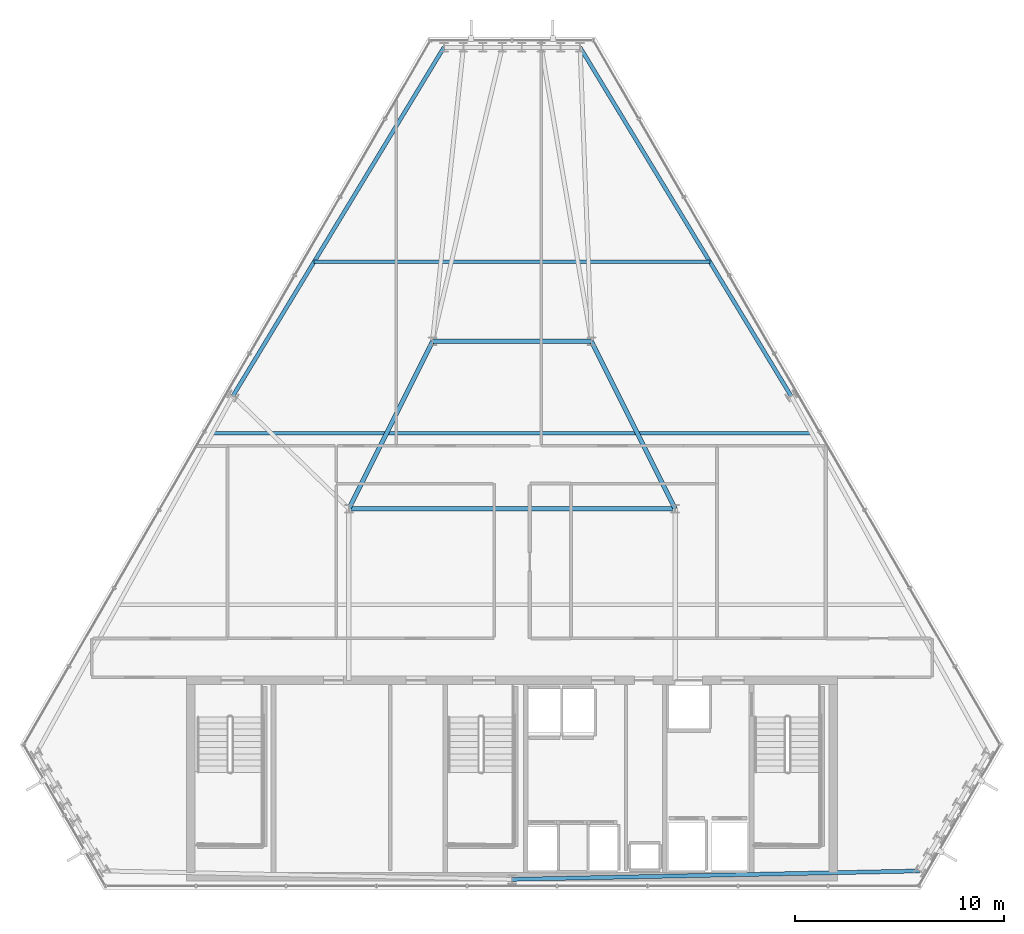
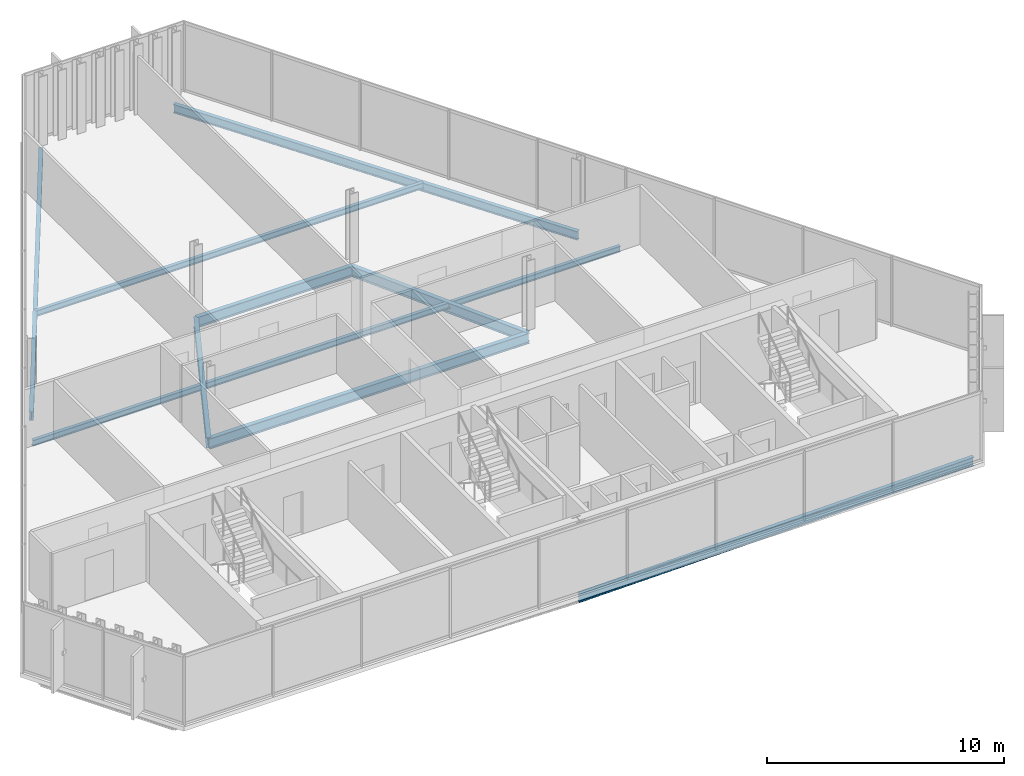
# One storey, part 13 of 30: 9 beams.
"""IFC4 building model written with IfcOpenShell, lengths in metres."""

import ifcopenshell
import ifcopenshell.guid

model = None  # the IFC model being written
_history = None  # IfcOwnerHistory: only IFC2X3 demands one
_inside = {}  # id of a spatial element -> (the spatial element, [elements in it])
_under = {}  # id of a project, library or spatial element -> (it, [spatial elements below it])
_declared = {}  # id of a project -> (the project, [libraries it declares])
_typed = {}  # id of a type object -> (the type object, [elements of that type])
_made_of = {}  # id of a material, layer set ... -> (it, [elements and type objects made of it])


def new_model(schema):
    """Start an empty IFC model of exactly this schema.

    Asked for "IFC4X3", IfcOpenShell would pick the latest addendum, in which some entities
    have other attributes; the version numbers below select the first issue.
    IFC2X3 requires an IfcOwnerHistory on every rooted entity: one is made here for all.
    """
    global model, _history
    if schema == "IFC4X3":
        model = ifcopenshell.file(schema_version=(4, 3, 0, 0))
    else:
        model = ifcopenshell.file(schema=schema)
    _inside.clear()
    _under.clear()
    _declared.clear()
    _typed.clear()
    _made_of.clear()
    _history = None
    if model.schema == "IFC2X3":
        org = make("IfcOrganization", Name="unknown")
        user = make(
            "IfcPersonAndOrganization",
            ThePerson=make("IfcPerson", FamilyName="unknown"),
            TheOrganization=org,
        )
        app = make(
            "IfcApplication",
            ApplicationDeveloper=org,
            Version="unknown",
            ApplicationFullName="unknown",
            ApplicationIdentifier="unknown",
        )
        _history = make(
            "IfcOwnerHistory",
            OwningUser=user,
            OwningApplication=app,
            ChangeAction="ADDED",
            CreationDate=0,
        )
    return model


def make(cls, **values):
    """One entity of the class cls with the attributes given. An attribute that is None is left unset."""
    return model.create_entity(
        cls, **{name: value for name, value in values.items() if value is not None}
    )


def rooted(cls, **values):
    """An entity with a GlobalId (a new one), such as an element, a storey or a relation."""
    return make(cls, GlobalId=ifcopenshell.guid.new(), OwnerHistory=_history, **values)


def si_unit(unit_type, name, prefix=None):
    """IfcSIUnit, for example si_unit("LENGTHUNIT", "METRE", prefix="MILLI")."""
    return make("IfcSIUnit", UnitType=unit_type, Prefix=prefix, Name=name)


def assignment(units):
    """IfcUnitAssignment: the units of a project."""
    return None if units is None else make("IfcUnitAssignment", Units=units)


def point(xyz):
    """IfcCartesianPoint."""
    return None if xyz is None else make("IfcCartesianPoint", Coordinates=xyz)


def direction(xyz):
    """IfcDirection."""
    return None if xyz is None else make("IfcDirection", DirectionRatios=xyz)


def frame(location, z_axis=None, x_axis=None):
    """IfcAxis2Placement3D, a coordinate frame: its origin and axes. An axis left out is left unset."""
    return make(
        "IfcAxis2Placement3D",
        Location=point(location),
        Axis=direction(z_axis),
        RefDirection=direction(x_axis),
    )


def frame_2d(location, x_axis=None):
    """IfcAxis2Placement2D, a coordinate frame in the plane: its origin and x axis."""
    return make(
        "IfcAxis2Placement2D", Location=point(location), RefDirection=direction(x_axis)
    )


def origin():
    """The frame at (0, 0, 0) with its axes left unset."""
    return frame((0.0, 0.0, 0.0))


def origin_2d():
    """The frame at (0, 0) in the plane with its x axis left unset."""
    return frame_2d((0.0, 0.0))


def place(relative_to, where):
    """IfcLocalPlacement: puts the frame where relative to a parent placement (None: the world)."""
    return make(
        "IfcLocalPlacement", PlacementRelTo=relative_to, RelativePlacement=where
    )


def context(
    kind, dimensions, precision=None, world=None, true_north=None, identifier=None
):
    """IfcGeometricRepresentationContext, for example the 3D "Model" context."""
    return make(
        "IfcGeometricRepresentationContext",
        ContextIdentifier=identifier,
        ContextType=kind,
        CoordinateSpaceDimension=dimensions,
        Precision=precision,
        WorldCoordinateSystem=world,
        TrueNorth=true_north,
    )


def subcontext(parent, identifier, kind, view, scale=None):
    """IfcGeometricRepresentationSubContext, for example "Body" below "Model"."""
    return make(
        "IfcGeometricRepresentationSubContext",
        ContextIdentifier=identifier,
        ContextType=kind,
        ParentContext=parent,
        TargetScale=scale,
        TargetView=view,
    )


def project(units=None, contexts=None):
    """IfcProject with its units and contexts."""
    return rooted(
        "IfcProject",
        Name="project",
        RepresentationContexts=contexts,
        UnitsInContext=assignment(units),
    )


def spatial(cls, under=None, at=None, **own):
    """A site, building, storey or space (cls), placed at a placement, below another one or the project."""
    s = rooted(cls, ObjectPlacement=at, **own)
    if under is not None:
        _under.setdefault(under.id(), (under, []))[1].append(s)
    return s


def profile(cls, at=None, kind="AREA", **sizes):
    """A parametric profile (cls). Its sizes go by their IFC names, for example OverallWidth=200.0."""
    return make(cls, ProfileType=kind, Position=at, **sizes)


def i_section(**sizes):
    """IfcIShapeProfileDef."""
    return profile("IfcIShapeProfileDef", **sizes)


def extrude(swept, where, along, depth):
    """IfcExtrudedAreaSolid: the profile swept, set in the frame where, extruded along a direction by depth."""
    return make(
        "IfcExtrudedAreaSolid",
        SweptArea=swept,
        Position=where,
        ExtrudedDirection=direction(along),
        Depth=depth,
    )


def shape(context_of_items, identifier, shape_type, items):
    """IfcShapeRepresentation: the items that make up one representation, for example the "Body"."""
    return make(
        "IfcShapeRepresentation",
        ContextOfItems=context_of_items,
        RepresentationIdentifier=identifier,
        RepresentationType=shape_type,
        Items=items,
    )


def material(Name=None, Category=None):
    """IfcMaterial."""
    return make("IfcMaterial", Name=Name, Category=Category)


def material_profile(
    of_material, cross_section, Name=None, Category=None, Priority=None
):
    """IfcMaterialProfile: a cross section and its material."""
    return make(
        "IfcMaterialProfile",
        Name=Name,
        Material=of_material,
        Profile=cross_section,
        Priority=Priority,
        Category=Category,
    )


def profile_set(profiles, Name=None, composite=None):
    """IfcMaterialProfileSet."""
    return make(
        "IfcMaterialProfileSet",
        Name=Name,
        MaterialProfiles=profiles,
        CompositeProfile=composite,
    )


def made_of(thing, what):
    """Note that an element or type object is made of a material, layer set ...; save() writes the relation."""
    if what is not None:
        _made_of.setdefault(what.id(), (what, []))[1].append(thing)
    return thing


def type_object(cls, material=None, **own):
    """A type object (cls), such as IfcWallType, which elements share."""
    return made_of(rooted(cls, **own), material)


def element(
    cls,
    number,
    at=None,
    inside=None,
    cuts=None,
    type_object=None,
    material=None,
    context=None,
    identifier="Body",
    shape_type=None,
    held_by="IfcProductDefinitionShape",
    body=None,
    shapes=None,
    **own,
):
    """One element of the class cls, such as IfcWall. Its Tag is "e" and its number.

    at: its placement. inside: the storey or other place that contains it. cuts: it is an
    opening in that element (IfcRelVoidsElement). A single representation is given by context,
    identifier, shape_type and body (its items); several are given by shapes. held_by: the class
    of the entity that holds the representations. save() writes the other relations.
    """
    e = rooted(cls, Tag="e%d" % number, ObjectPlacement=at, **own)
    if body is not None:
        shapes = [shape(context, identifier, shape_type, body)]
    if shapes is not None:
        e.Representation = make(held_by, Representations=shapes)
    if inside is not None:
        _inside.setdefault(inside.id(), (inside, []))[1].append(e)
    if cuts is not None:
        rooted(
            "IfcRelVoidsElement", RelatingBuildingElement=cuts, RelatedOpeningElement=e
        )
    if type_object is not None:
        _typed.setdefault(type_object.id(), (type_object, []))[1].append(e)
    return made_of(e, material)


def aggregate(whole, parts):
    """IfcRelAggregates: a whole, such as a stair, and the parts it consists of."""
    return rooted("IfcRelAggregates", RelatingObject=whole, RelatedObjects=parts)


def save(model, path):
    """Write the relations noted so far, then the file.

    IfcRelAggregates (storeys below a building ...), IfcRelContainedInSpatialStructure (elements
    in a storey), IfcRelDefinesByType, IfcRelAssociatesMaterial and IfcRelDeclares: one each for
    every whole, place, type object, material and project.
    """
    for whole, parts in _under.values():
        aggregate(whole, parts)
    for where, things in _inside.values():
        rooted(
            "IfcRelContainedInSpatialStructure",
            RelatedElements=things,
            RelatingStructure=where,
        )
    for kind, things in _typed.values():
        rooted("IfcRelDefinesByType", RelatedObjects=things, RelatingType=kind)
    for what, things in _made_of.values():
        rooted("IfcRelAssociatesMaterial", RelatedObjects=things, RelatingMaterial=what)
    for by, libraries in _declared.values():
        rooted("IfcRelDeclares", RelatingContext=by, RelatedDefinitions=libraries)
    model.write(path)


model = new_model("IFC4")

# Units and contexts
model_context = context("Model", 3, precision=1e-05, world=origin(), true_north=direction((0.0, 1.0)))
body_context = subcontext(model_context, "Body", "Model", "MODEL_VIEW")
ifc_project = project(units=[si_unit("LENGTHUNIT", "METRE"), si_unit("AREAUNIT", "SQUARE_METRE"), si_unit("VOLUMEUNIT", "CUBIC_METRE"), si_unit("PLANEANGLEUNIT", "RADIAN"), si_unit("MASSUNIT", "GRAM", prefix="KILO")], contexts=[model_context])

# Site, building, storey
site_placement = place(None, origin())
site = spatial("IfcSite", under=ifc_project, at=site_placement, CompositionType="ELEMENT")
building_placement = place(site_placement, origin())
building = spatial("IfcBuilding", under=site, at=building_placement, Name="Ndaravel Arena Tower", CompositionType="ELEMENT")
storey_placement = place(building_placement, frame((0.0, 0.0, 221.800048828125)))
storey = spatial("IfcBuildingStorey", under=building, at=storey_placement, Name="L53", CompositionType="ELEMENT", Elevation=221.800048828125)

# Beams
ifc_material_1 = material(Name="Steel S355", Category="steel")
ifc_material_profile_1 = material_profile(ifc_material_1, i_section(OverallWidth=0.210693359375, OverallDepth=0.53955078125, WebThickness=0.01171875, FlangeThickness=0.018798828125, FilletRadius=0.0126953125, at=origin_2d()), Name="UB 533x210x109")
ifc_profile_set_1 = profile_set([ifc_material_profile_1], Name="Steel S355")
beam_type_1 = type_object("IfcBeamType", Name="BM-GIRD-UB533", PredefinedType="BEAM", material=ifc_profile_set_1)
beam_1_placement = place(storey_placement, frame((34.199951171875, 23.199951171875, -0.48974609375), z_axis=(1.0, 0.0, 0.0), x_axis=(0.0, 1.0, 0.0)))
element("IfcBeam", 1, at=beam_1_placement, inside=storey, type_object=beam_type_1, Name="L53 Spine Link Girder SLG-03", PredefinedType="BEAM", context=body_context, shape_type="SweptSolid", body=[
    extrude(i_section(OverallWidth=0.210693359375, OverallDepth=0.53955078125, WebThickness=0.01171875, FlangeThickness=0.018798828125, FilletRadius=0.0126953125, at=origin_2d()), origin(), (0.0, 0.0, 1.0), 15.60009765625),
])
for number, where, z_axis, x_axis, name in (
    (2, (34.199951171875, 23.199951171875, -0.48974609375), (0.4472135955, 0.894427191, 0.0), (-0.894427191, 0.4472135955, 0.0), "L53 Spine Link Girder SLG-04"),
    (3, (49.800048828125, 23.199951171875, -0.48974609375), (-0.4472135955, 0.894427191, 0.0), (-0.894427191, -0.4472135955, 0.0), "L53 Spine Link Girder SLG-05"),
):
    element("IfcBeam", number, at=place(storey_placement, frame(where, z_axis=z_axis, x_axis=x_axis)), inside=storey, type_object=beam_type_1, Name=name, PredefinedType="BEAM", context=body_context, shape_type="SweptSolid", body=[
        extrude(i_section(OverallWidth=0.210693359375, OverallDepth=0.53955078125, WebThickness=0.01171875, FlangeThickness=0.018798828125, FilletRadius=0.0126953125, at=origin_2d()), origin(), (0.0, 0.0, 1.0), 8.9443359375),
    ])
beam_2_placement = place(storey_placement, frame((38.199951171875, 31.199951171875, -0.48974609375), z_axis=(1.0, 0.0, 0.0), x_axis=(0.0, 1.0, 0.0)))
element("IfcBeam", 4, at=beam_2_placement, inside=storey, type_object=beam_type_1, Name="L53 Spine Link Girder SLG-06", PredefinedType="BEAM", context=body_context, shape_type="SweptSolid", body=[
    extrude(i_section(OverallWidth=0.210693359375, OverallDepth=0.53955078125, WebThickness=0.01171875, FlangeThickness=0.018798828125, FilletRadius=0.0126953125, at=origin_2d()), origin(), (0.0, 0.0, 1.0), 7.60009765625),
])
ifc_material_2 = material(Name="Steel S355", Category="steel")
ifc_material_profile_2 = material_profile(ifc_material_2, i_section(OverallWidth=0.165771484375, OverallDepth=0.306640625, WebThickness=0.006591796875, FlangeThickness=0.01171875, FilletRadius=0.0087890625, at=origin_2d()), Name="UB 305x165x46")
ifc_profile_set_2 = profile_set([ifc_material_profile_2], Name="Steel S355")
beam_type_2 = type_object("IfcBeamType", Name="BM-JOIST-UB305", PredefinedType="JOIST", material=ifc_profile_set_2)
beam_3_placement = place(storey_placement, frame((27.675048828125, 26.800048828125, -0.373291015625), z_axis=(1.0, 0.0, 0.0), x_axis=(0.0, 1.0, 0.0)))
element("IfcBeam", 5, at=beam_3_placement, inside=storey, type_object=beam_type_2, Name="L53 Composite Floor Joist FJ-02", PredefinedType="JOIST", context=body_context, shape_type="SweptSolid", body=[
    extrude(i_section(OverallWidth=0.165771484375, OverallDepth=0.306640625, WebThickness=0.006591796875, FlangeThickness=0.01171875, FilletRadius=0.0087890625, at=origin_2d()), origin(), (0.0, 0.0, 1.0), 28.64990234375),
])
beam_4_placement = place(storey_placement, frame((32.539306640625, 35.0, -0.373291015625), z_axis=(1.0, 0.0, 0.0), x_axis=(0.0, 1.0, 0.0)))
element("IfcBeam", 6, at=beam_4_placement, inside=storey, type_object=beam_type_2, Name="L53 Composite Floor Joist FJ-03", PredefinedType="JOIST", context=body_context, shape_type="SweptSolid", body=[
    extrude(i_section(OverallWidth=0.165771484375, OverallDepth=0.306640625, WebThickness=0.006591796875, FlangeThickness=0.01171875, FilletRadius=0.0087890625, at=origin_2d()), origin(), (0.0, 0.0, 1.0), 18.92138671875),
])
ifc_material_3 = material(Name="Steel S355", Category="steel")
ifc_material_profile_3 = material_profile(ifc_material_3, i_section(OverallWidth=0.18994140625, OverallDepth=0.449951171875, WebThickness=0.009521484375, FlangeThickness=0.0146484375, FilletRadius=0.02099609375, at=origin_2d()), Name="IPE 450")
ifc_profile_set_3 = profile_set([ifc_material_profile_3], Name="Steel S355")
beam_type_3 = type_object("IfcBeamType", Name="BM-SPAN-IPE450", PredefinedType="SPANDREL", material=ifc_profile_set_3)
for number, where, z_axis, x_axis, name in (
    (7, (42.0, 5.47998046875, -0.445068359375), (0.999786791244, 0.020648778504, 0.0), (-0.020648778504, 0.999786791244, 0.0), "L53 Perimeter Spandrel Beam SP-01"),
    (8, (55.34130859375, 28.587890625, -0.445068359375), (-0.517771790163, 0.855518774377, 0.0), (-0.855518774377, -0.517771790163, 0.0), "L53 Perimeter Spandrel Beam SP-10"),
    (9, (38.74755859375, 45.2578125, -0.445068359375), (-0.517771790163, -0.855518774377, 0.0), (0.855518774377, -0.517771790163, 0.0), "L53 Perimeter Spandrel Beam SP-18"),
):
    element("IfcBeam", number, at=place(storey_placement, frame(where, z_axis=z_axis, x_axis=x_axis)), inside=storey, type_object=beam_type_3, Name=name, PredefinedType="SPANDREL", context=body_context, shape_type="SweptSolid", body=[
        extrude(i_section(OverallWidth=0.18994140625, OverallDepth=0.449951171875, WebThickness=0.009521484375, FlangeThickness=0.0146484375, FilletRadius=0.02099609375, at=origin_2d()), origin(), (0.0, 0.0, 1.0), 19.485107421875),
    ])

save(model, "model.ifc")
